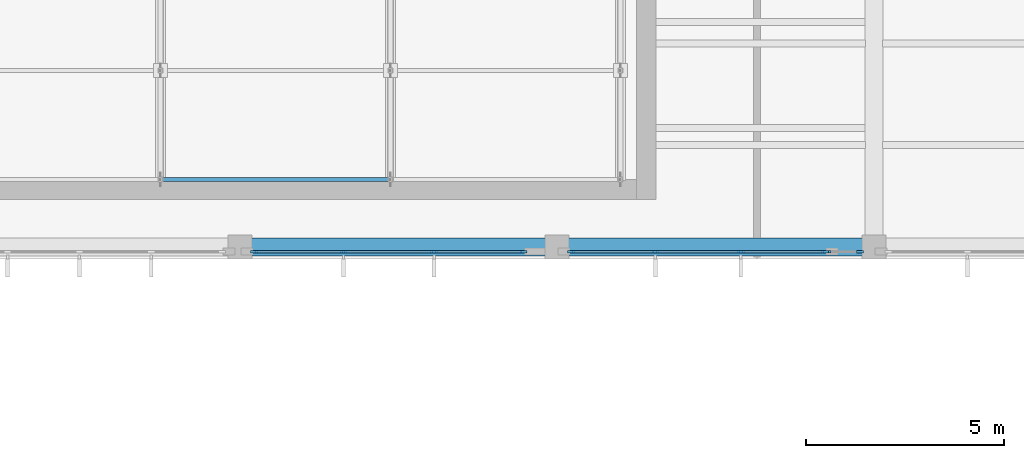
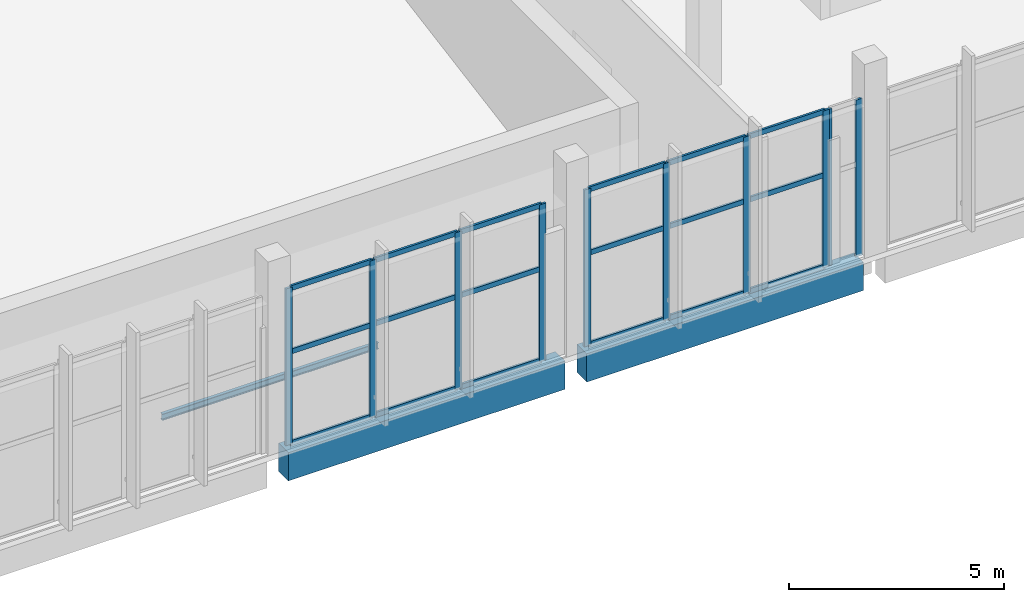
# One storey, part 6 of 132: 29 members, 2 beams, 3 elements without a shape of their own.
"""IFC4 building model written with IfcOpenShell, lengths in metres."""

import ifcopenshell
import ifcopenshell.guid

model = None  # the IFC model being written
_history = None  # IfcOwnerHistory: only IFC2X3 demands one
_inside = {}  # id of a spatial element -> (the spatial element, [elements in it])
_under = {}  # id of a project, library or spatial element -> (it, [spatial elements below it])
_declared = {}  # id of a project -> (the project, [libraries it declares])
_typed = {}  # id of a type object -> (the type object, [elements of that type])
_made_of = {}  # id of a material, layer set ... -> (it, [elements and type objects made of it])


def new_model(schema):
    """Start an empty IFC model of exactly this schema.

    Asked for "IFC4X3", IfcOpenShell would pick the latest addendum, in which some entities
    have other attributes; the version numbers below select the first issue.
    IFC2X3 requires an IfcOwnerHistory on every rooted entity: one is made here for all.
    """
    global model, _history
    if schema == "IFC4X3":
        model = ifcopenshell.file(schema_version=(4, 3, 0, 0))
    else:
        model = ifcopenshell.file(schema=schema)
    _inside.clear()
    _under.clear()
    _declared.clear()
    _typed.clear()
    _made_of.clear()
    _history = None
    if model.schema == "IFC2X3":
        org = make("IfcOrganization", Name="unknown")
        user = make(
            "IfcPersonAndOrganization",
            ThePerson=make("IfcPerson", FamilyName="unknown"),
            TheOrganization=org,
        )
        app = make(
            "IfcApplication",
            ApplicationDeveloper=org,
            Version="unknown",
            ApplicationFullName="unknown",
            ApplicationIdentifier="unknown",
        )
        _history = make(
            "IfcOwnerHistory",
            OwningUser=user,
            OwningApplication=app,
            ChangeAction="ADDED",
            CreationDate=0,
        )
    return model


def make(cls, **values):
    """One entity of the class cls with the attributes given. An attribute that is None is left unset."""
    return model.create_entity(
        cls, **{name: value for name, value in values.items() if value is not None}
    )


def rooted(cls, **values):
    """An entity with a GlobalId (a new one), such as an element, a storey or a relation."""
    return make(cls, GlobalId=ifcopenshell.guid.new(), OwnerHistory=_history, **values)


def si_unit(unit_type, name, prefix=None):
    """IfcSIUnit, for example si_unit("LENGTHUNIT", "METRE", prefix="MILLI")."""
    return make("IfcSIUnit", UnitType=unit_type, Prefix=prefix, Name=name)


def assignment(units):
    """IfcUnitAssignment: the units of a project."""
    return None if units is None else make("IfcUnitAssignment", Units=units)


def point(xyz):
    """IfcCartesianPoint."""
    return None if xyz is None else make("IfcCartesianPoint", Coordinates=xyz)


def direction(xyz):
    """IfcDirection."""
    return None if xyz is None else make("IfcDirection", DirectionRatios=xyz)


def frame(location, z_axis=None, x_axis=None):
    """IfcAxis2Placement3D, a coordinate frame: its origin and axes. An axis left out is left unset."""
    return make(
        "IfcAxis2Placement3D",
        Location=point(location),
        Axis=direction(z_axis),
        RefDirection=direction(x_axis),
    )


def frame_2d(location, x_axis=None):
    """IfcAxis2Placement2D, a coordinate frame in the plane: its origin and x axis."""
    return make(
        "IfcAxis2Placement2D", Location=point(location), RefDirection=direction(x_axis)
    )


def origin():
    """The frame at (0, 0, 0) with its axes left unset."""
    return frame((0.0, 0.0, 0.0))


def origin_2d():
    """The frame at (0, 0) in the plane with its x axis left unset."""
    return frame_2d((0.0, 0.0))


def place(relative_to, where):
    """IfcLocalPlacement: puts the frame where relative to a parent placement (None: the world)."""
    return make(
        "IfcLocalPlacement", PlacementRelTo=relative_to, RelativePlacement=where
    )


def context(
    kind, dimensions, precision=None, world=None, true_north=None, identifier=None
):
    """IfcGeometricRepresentationContext, for example the 3D "Model" context."""
    return make(
        "IfcGeometricRepresentationContext",
        ContextIdentifier=identifier,
        ContextType=kind,
        CoordinateSpaceDimension=dimensions,
        Precision=precision,
        WorldCoordinateSystem=world,
        TrueNorth=true_north,
    )


def subcontext(parent, identifier, kind, view, scale=None):
    """IfcGeometricRepresentationSubContext, for example "Body" below "Model"."""
    return make(
        "IfcGeometricRepresentationSubContext",
        ContextIdentifier=identifier,
        ContextType=kind,
        ParentContext=parent,
        TargetScale=scale,
        TargetView=view,
    )


def project(units=None, contexts=None):
    """IfcProject with its units and contexts."""
    return rooted(
        "IfcProject",
        Name="project",
        RepresentationContexts=contexts,
        UnitsInContext=assignment(units),
    )


def spatial(cls, under=None, at=None, **own):
    """A site, building, storey or space (cls), placed at a placement, below another one or the project."""
    s = rooted(cls, ObjectPlacement=at, **own)
    if under is not None:
        _under.setdefault(under.id(), (under, []))[1].append(s)
    return s


def profile(cls, at=None, kind="AREA", **sizes):
    """A parametric profile (cls). Its sizes go by their IFC names, for example OverallWidth=200.0."""
    return make(cls, ProfileType=kind, Position=at, **sizes)


def rectangle(**sizes):
    """IfcRectangleProfileDef."""
    return profile("IfcRectangleProfileDef", **sizes)


def i_section(**sizes):
    """IfcIShapeProfileDef."""
    return profile("IfcIShapeProfileDef", **sizes)


def extrude(swept, where, along, depth):
    """IfcExtrudedAreaSolid: the profile swept, set in the frame where, extruded along a direction by depth."""
    return make(
        "IfcExtrudedAreaSolid",
        SweptArea=swept,
        Position=where,
        ExtrudedDirection=direction(along),
        Depth=depth,
    )


def shape(context_of_items, identifier, shape_type, items):
    """IfcShapeRepresentation: the items that make up one representation, for example the "Body"."""
    return make(
        "IfcShapeRepresentation",
        ContextOfItems=context_of_items,
        RepresentationIdentifier=identifier,
        RepresentationType=shape_type,
        Items=items,
    )


def material(Name=None, Category=None):
    """IfcMaterial."""
    return make("IfcMaterial", Name=Name, Category=Category)


def layer(
    of_material, thickness, ventilated=None, Name=None, Category=None, Priority=None
):
    """IfcMaterialLayer: one layer of a wall or slab, of a material (None: an air gap)."""
    return make(
        "IfcMaterialLayer",
        Material=of_material,
        LayerThickness=thickness,
        IsVentilated=ventilated,
        Name=Name,
        Category=Category,
        Priority=Priority,
    )


def layer_set(layers, Name=None):
    """IfcMaterialLayerSet."""
    return make("IfcMaterialLayerSet", MaterialLayers=layers, LayerSetName=Name)


def material_profile(
    of_material, cross_section, Name=None, Category=None, Priority=None
):
    """IfcMaterialProfile: a cross section and its material."""
    return make(
        "IfcMaterialProfile",
        Name=Name,
        Material=of_material,
        Profile=cross_section,
        Priority=Priority,
        Category=Category,
    )


def profile_set(profiles, Name=None, composite=None):
    """IfcMaterialProfileSet."""
    return make(
        "IfcMaterialProfileSet",
        Name=Name,
        MaterialProfiles=profiles,
        CompositeProfile=composite,
    )


def made_of(thing, what):
    """Note that an element or type object is made of a material, layer set ...; save() writes the relation."""
    if what is not None:
        _made_of.setdefault(what.id(), (what, []))[1].append(thing)
    return thing


def type_object(cls, material=None, **own):
    """A type object (cls), such as IfcWallType, which elements share."""
    return made_of(rooted(cls, **own), material)


def element(
    cls,
    number,
    at=None,
    inside=None,
    cuts=None,
    type_object=None,
    material=None,
    context=None,
    identifier="Body",
    shape_type=None,
    held_by="IfcProductDefinitionShape",
    body=None,
    shapes=None,
    **own,
):
    """One element of the class cls, such as IfcWall. Its Tag is "e" and its number.

    at: its placement. inside: the storey or other place that contains it. cuts: it is an
    opening in that element (IfcRelVoidsElement). A single representation is given by context,
    identifier, shape_type and body (its items); several are given by shapes. held_by: the class
    of the entity that holds the representations. save() writes the other relations.
    """
    e = rooted(cls, Tag="e%d" % number, ObjectPlacement=at, **own)
    if body is not None:
        shapes = [shape(context, identifier, shape_type, body)]
    if shapes is not None:
        e.Representation = make(held_by, Representations=shapes)
    if inside is not None:
        _inside.setdefault(inside.id(), (inside, []))[1].append(e)
    if cuts is not None:
        rooted(
            "IfcRelVoidsElement", RelatingBuildingElement=cuts, RelatedOpeningElement=e
        )
    if type_object is not None:
        _typed.setdefault(type_object.id(), (type_object, []))[1].append(e)
    return made_of(e, material)


def aggregate(whole, parts):
    """IfcRelAggregates: a whole, such as a stair, and the parts it consists of."""
    return rooted("IfcRelAggregates", RelatingObject=whole, RelatedObjects=parts)


def save(model, path):
    """Write the relations noted so far, then the file.

    IfcRelAggregates (storeys below a building ...), IfcRelContainedInSpatialStructure (elements
    in a storey), IfcRelDefinesByType, IfcRelAssociatesMaterial and IfcRelDeclares: one each for
    every whole, place, type object, material and project.
    """
    for whole, parts in _under.values():
        aggregate(whole, parts)
    for where, things in _inside.values():
        rooted(
            "IfcRelContainedInSpatialStructure",
            RelatedElements=things,
            RelatingStructure=where,
        )
    for kind, things in _typed.values():
        rooted("IfcRelDefinesByType", RelatedObjects=things, RelatingType=kind)
    for what, things in _made_of.values():
        rooted("IfcRelAssociatesMaterial", RelatedObjects=things, RelatingMaterial=what)
    for by, libraries in _declared.values():
        rooted("IfcRelDeclares", RelatingContext=by, RelatedDefinitions=libraries)
    model.write(path)


model = new_model("IFC4")

# Units and contexts
model_context = context("Model", 3, precision=1e-05, world=origin(), true_north=direction((0.0, 1.0)))
body_context = subcontext(model_context, "Body", "Model", "MODEL_VIEW")
ifc_project = project(units=[si_unit("LENGTHUNIT", "METRE"), si_unit("AREAUNIT", "SQUARE_METRE"), si_unit("VOLUMEUNIT", "CUBIC_METRE"), si_unit("PLANEANGLEUNIT", "RADIAN"), si_unit("MASSUNIT", "GRAM", prefix="KILO")], contexts=[model_context])

# Site, building, storey
site_placement = place(None, origin())
site = spatial("IfcSite", under=ifc_project, at=site_placement, CompositionType="ELEMENT")
building_placement = place(site_placement, origin())
building = spatial("IfcBuilding", under=site, at=building_placement, Name="Lunette Opera House", CompositionType="ELEMENT")
storey_placement = place(building_placement, frame((0.0, 0.0, 17.0)))
storey = spatial("IfcBuildingStorey", under=building, at=storey_placement, Name="L03", CompositionType="ELEMENT", Elevation=17.0)

# Curtain wall, members
ifc_material_1 = material(Name="Aluminium", Category="aluminium")
ifc_layer = layer(ifc_material_1, 0.179931640625)
ifc_layer_set = layer_set([ifc_layer], Name="Aluminium")
curtain_wall_type = type_object("IfcCurtainWallType", Name="SUN FACE CURTAIN WALL", PredefinedType="NOTDEFINED", material=ifc_layer_set)
curtain_wall_1_placement = place(storey_placement, origin())
curtain_wall_1 = element("IfcCurtainWall", 1, at=curtain_wall_1_placement, inside=storey, type_object=curtain_wall_type, Name="Sun Face Curtain Wall F21 L03", PredefinedType="NOTDEFINED")
ifc_material_2 = material(Name="Aluminium", Category="aluminium")
ifc_material_profile_1 = material_profile(ifc_material_2, rectangle(XDim=0.06005859375, YDim=0.179931640625, at=origin_2d()), Name="MULLION 60 X 180")
ifc_profile_set_1 = profile_set([ifc_material_profile_1], Name="Aluminium")
member_type_1 = type_object("IfcMemberType", Name="MULLION 60 X 180", PredefinedType="MULLION", material=ifc_profile_set_1)
member_1_placement = place(storey_placement, frame((24.360107421875, 64.18310546875, 0.0), z_axis=(0.0, 0.0, 1.0), x_axis=(0.0, 1.0, 0.0)))
member_1 = element("IfcMember", 2, at=member_1_placement, type_object=member_type_1, Name="RW-X2051 mullion 1", PredefinedType="MULLION", context=body_context, shape_type="SweptSolid", body=[
    extrude(rectangle(XDim=0.06005859375, YDim=0.179931640625, at=origin_2d()), origin(), (0.0, 0.0, 1.0), 4.449951171875),
])
member_2_placement = place(storey_placement, frame((26.6142578125, 64.18310546875, 0.0), z_axis=(0.0, 0.0, 1.0), x_axis=(0.0, 1.0, 0.0)))
member_2 = element("IfcMember", 3, at=member_2_placement, type_object=member_type_1, Name="RW-X2051 mullion 2", PredefinedType="MULLION", context=body_context, shape_type="SweptSolid", body=[
    extrude(rectangle(XDim=0.06005859375, YDim=0.179931640625, at=origin_2d()), origin(), (0.0, 0.0, 1.0), 4.449951171875),
])
member_3_placement = place(storey_placement, frame((28.898681640625, 64.18310546875, 0.0), z_axis=(0.0, 0.0, 1.0), x_axis=(0.0, 1.0, 0.0)))
member_3 = element("IfcMember", 4, at=member_3_placement, type_object=member_type_1, Name="RW-X2051 mullion 3", PredefinedType="MULLION", context=body_context, shape_type="SweptSolid", body=[
    extrude(rectangle(XDim=0.06005859375, YDim=0.179931640625, at=origin_2d()), origin(), (0.0, 0.0, 1.0), 4.449951171875),
])
member_4_placement = place(storey_placement, frame((31.153076171875, 64.18310546875, 0.0), z_axis=(0.0, 0.0, 1.0), x_axis=(0.0, 1.0, 0.0)))
member_4 = element("IfcMember", 5, at=member_4_placement, type_object=member_type_1, Name="RW-X2051 mullion 4", PredefinedType="MULLION", context=body_context, shape_type="SweptSolid", body=[
    extrude(rectangle(XDim=0.06005859375, YDim=0.179931640625, at=origin_2d()), origin(), (0.0, 0.0, 1.0), 4.449951171875),
])

curtain_wall_2_placement = place(storey_placement, origin())
curtain_wall_2 = element("IfcCurtainWall", 6, at=curtain_wall_2_placement, inside=storey, type_object=curtain_wall_type, Name="Sun Face Curtain Wall F22 L03", PredefinedType="NOTDEFINED")
member_5_placement = place(storey_placement, frame((32.360107421875, 64.18310546875, 0.0), z_axis=(0.0, 0.0, 1.0), x_axis=(0.0, 1.0, 0.0)))
member_5 = element("IfcMember", 7, at=member_5_placement, type_object=member_type_1, Name="RW-X2052 mullion 1", PredefinedType="MULLION", context=body_context, shape_type="SweptSolid", body=[
    extrude(rectangle(XDim=0.06005859375, YDim=0.179931640625, at=origin_2d()), origin(), (0.0, 0.0, 1.0), 4.449951171875),
])
member_6_placement = place(storey_placement, frame((34.482666015625, 64.18310546875, 0.0), z_axis=(0.0, 0.0, 1.0), x_axis=(0.0, 1.0, 0.0)))
member_6 = element("IfcMember", 8, at=member_6_placement, type_object=member_type_1, Name="RW-X2052 mullion 2", PredefinedType="MULLION", context=body_context, shape_type="SweptSolid", body=[
    extrude(rectangle(XDim=0.06005859375, YDim=0.179931640625, at=origin_2d()), origin(), (0.0, 0.0, 1.0), 4.449951171875),
])
member_7_placement = place(storey_placement, frame((36.63525390625, 64.18310546875, 0.0), z_axis=(0.0, 0.0, 1.0), x_axis=(0.0, 1.0, 0.0)))
member_7 = element("IfcMember", 9, at=member_7_placement, type_object=member_type_1, Name="RW-X2052 mullion 3", PredefinedType="MULLION", context=body_context, shape_type="SweptSolid", body=[
    extrude(rectangle(XDim=0.06005859375, YDim=0.179931640625, at=origin_2d()), origin(), (0.0, 0.0, 1.0), 4.449951171875),
])
member_8_placement = place(storey_placement, frame((38.758056640625, 64.18310546875, 0.0), z_axis=(0.0, 0.0, 1.0), x_axis=(0.0, 1.0, 0.0)))
member_8 = element("IfcMember", 10, at=member_8_placement, type_object=member_type_1, Name="RW-X2052 mullion 4", PredefinedType="MULLION", context=body_context, shape_type="SweptSolid", body=[
    extrude(rectangle(XDim=0.06005859375, YDim=0.179931640625, at=origin_2d()), origin(), (0.0, 0.0, 1.0), 4.449951171875),
])

curtain_wall_3_placement = place(storey_placement, origin())
curtain_wall_3 = element("IfcCurtainWall", 11, at=curtain_wall_3_placement, inside=storey, type_object=curtain_wall_type, Name="Sun Face Curtain Wall F23-1 L03", PredefinedType="NOTDEFINED")
member_9_placement = place(storey_placement, frame((38.818115234375, 64.18310546875, 0.0), z_axis=(0.0, 0.0, 1.0), x_axis=(0.0, 1.0, 0.0)))
member_9 = element("IfcMember", 12, at=member_9_placement, type_object=member_type_1, Name="RW-X2053 mullion 1", PredefinedType="MULLION", context=body_context, shape_type="SweptSolid", body=[
    extrude(rectangle(XDim=0.06005859375, YDim=0.179931640625, at=origin_2d()), origin(), (0.0, 0.0, 1.0), 4.449951171875),
])
member_10_placement = place(storey_placement, frame((39.639892578125, 64.18310546875, 0.0), z_axis=(0.0, 0.0, 1.0), x_axis=(0.0, 1.0, 0.0)))
member_10 = element("IfcMember", 13, at=member_10_placement, type_object=member_type_1, Name="RW-X2053 mullion 2", PredefinedType="MULLION", context=body_context, shape_type="SweptSolid", body=[
    extrude(rectangle(XDim=0.06005859375, YDim=0.179931640625, at=origin_2d()), origin(), (0.0, 0.0, 1.0), 4.449951171875),
])
aggregate(curtain_wall_3, [member_9, member_10])

# Member
ifc_material_3 = material(Name="Steel S355", Category="steel")
ifc_material_profile_2 = material_profile(ifc_material_3, i_section(OverallWidth=0.091064453125, OverallDepth=0.179931640625, WebThickness=0.00537109375, FlangeThickness=0.008056640625, FilletRadius=0.009033203125, at=origin_2d()), Name="IPE 180")
ifc_profile_set_2 = profile_set([ifc_material_profile_2], Name="Steel S355")
member_type_2 = type_object("IfcMemberType", Name="PURLIN IPE 180", PredefinedType="PURLIN", material=ifc_profile_set_2)
member_11_placement = place(storey_placement, frame((22.0, 66.0, 0.510009765625), z_axis=(1.0, 0.0, 0.0), x_axis=(0.0, 1.0, 0.0)))
element("IfcMember", 14, at=member_11_placement, inside=storey, type_object=member_type_2, Name="mem-RW-L03-RW-PU1-3", PredefinedType="PURLIN", context=body_context, shape_type="SweptSolid", body=[
    extrude(i_section(OverallWidth=0.091064453125, OverallDepth=0.179931640625, WebThickness=0.00537109375, FlangeThickness=0.008056640625, FilletRadius=0.009033203125, at=origin_2d()), origin(), (0.0, 0.0, 1.0), 5.800048828125),
])

# Beams
ifc_material_4 = material(Name="Concrete C35/45", Category="concrete")
ifc_material_profile_3 = material_profile(ifc_material_4, rectangle(XDim=0.449951171875, YDim=0.800048828125, at=origin_2d()), Name="RC BEAM 450X800")
ifc_profile_set_3 = profile_set([ifc_material_profile_3], Name="Concrete C35/45")
beam_type = type_object("IfcBeamType", Name="RC BEAM 450X800", PredefinedType="BEAM", material=ifc_profile_set_3)
for number, where, z_axis, x_axis, name in (
    (15, (24.2900390625, 64.300048828125, -0.550048828125), (1.0, 0.0, 0.0), (0.0, 1.0, 0.0), "beam-RW-L03-L03-GX20"),
    (16, (32.2900390625, 64.300048828125, -0.550048828125), (1.0, 0.0, 0.0), (0.0, 1.0, 0.0), "beam-RW-L03-L03-GX30"),
):
    element("IfcBeam", number, at=place(storey_placement, frame(where, z_axis=z_axis, x_axis=x_axis)), inside=storey, type_object=beam_type, Name=name, PredefinedType="BEAM", context=body_context, shape_type="SweptSolid", body=[
        extrude(rectangle(XDim=0.449951171875, YDim=0.800048828125, at=origin_2d()), origin(), (0.0, 0.0, 1.0), 7.419921875),
    ])

# Member
ifc_material_5 = material(Name="Aluminium", Category="aluminium")
ifc_material_profile_4 = material_profile(ifc_material_5, rectangle(XDim=0.06005859375, YDim=0.139892578125, at=origin_2d()), Name="TRANSOM 60 X 140")
ifc_profile_set_4 = profile_set([ifc_material_profile_4], Name="Aluminium")
member_type_3 = type_object("IfcMemberType", Name="TRANSOM 60 X 140", PredefinedType="USERDEFINED", material=ifc_profile_set_4)
member_12_placement = place(storey_placement, frame((24.389892578125, 64.18310546875, 0.030029296875), z_axis=(1.0, 0.0, 0.0), x_axis=(0.0, 1.0, 0.0)))
member_12 = element("IfcMember", 17, at=member_12_placement, type_object=member_type_3, Name="RW-X2051 transom 1.1", ObjectType="TRANSOM", PredefinedType="USERDEFINED", context=body_context, shape_type="SweptSolid", body=[
    extrude(rectangle(XDim=0.06005859375, YDim=0.139892578125, at=origin_2d()), origin(), (0.0, 0.0, 1.0), 2.1943359375),
])

member_13_placement = place(storey_placement, frame((24.389892578125, 64.18310546875, 2.625), z_axis=(1.0, 0.0, 0.0), x_axis=(0.0, 1.0, 0.0)))
member_13 = element("IfcMember", 18, at=member_13_placement, type_object=member_type_3, Name="RW-X2051 transom 1.2", ObjectType="TRANSOM", PredefinedType="USERDEFINED", context=body_context, shape_type="SweptSolid", body=[
    extrude(rectangle(XDim=0.06005859375, YDim=0.139892578125, at=origin_2d()), origin(), (0.0, 0.0, 1.0), 2.1943359375),
])

member_14_placement = place(storey_placement, frame((24.389892578125, 64.18310546875, 4.419921875), z_axis=(1.0, 0.0, 0.0), x_axis=(0.0, 1.0, 0.0)))
member_14 = element("IfcMember", 19, at=member_14_placement, type_object=member_type_3, Name="RW-X2051 transom 1.3", ObjectType="TRANSOM", PredefinedType="USERDEFINED", context=body_context, shape_type="SweptSolid", body=[
    extrude(rectangle(XDim=0.06005859375, YDim=0.139892578125, at=origin_2d()), origin(), (0.0, 0.0, 1.0), 2.1943359375),
])

member_15_placement = place(storey_placement, frame((26.644287109375, 64.18310546875, 0.030029296875), z_axis=(1.0, 0.0, 0.0), x_axis=(0.0, 1.0, 0.0)))
member_15 = element("IfcMember", 20, at=member_15_placement, type_object=member_type_3, Name="RW-X2051 transom 2.1", ObjectType="TRANSOM", PredefinedType="USERDEFINED", context=body_context, shape_type="SweptSolid", body=[
    extrude(rectangle(XDim=0.06005859375, YDim=0.139892578125, at=origin_2d()), origin(), (0.0, 0.0, 1.0), 2.224365234375),
])

member_16_placement = place(storey_placement, frame((26.644287109375, 64.18310546875, 2.625), z_axis=(1.0, 0.0, 0.0), x_axis=(0.0, 1.0, 0.0)))
member_16 = element("IfcMember", 21, at=member_16_placement, type_object=member_type_3, Name="RW-X2051 transom 2.2", ObjectType="TRANSOM", PredefinedType="USERDEFINED", context=body_context, shape_type="SweptSolid", body=[
    extrude(rectangle(XDim=0.06005859375, YDim=0.139892578125, at=origin_2d()), origin(), (0.0, 0.0, 1.0), 2.224365234375),
])

member_17_placement = place(storey_placement, frame((26.644287109375, 64.18310546875, 4.419921875), z_axis=(1.0, 0.0, 0.0), x_axis=(0.0, 1.0, 0.0)))
member_17 = element("IfcMember", 22, at=member_17_placement, type_object=member_type_3, Name="RW-X2051 transom 2.3", ObjectType="TRANSOM", PredefinedType="USERDEFINED", context=body_context, shape_type="SweptSolid", body=[
    extrude(rectangle(XDim=0.06005859375, YDim=0.139892578125, at=origin_2d()), origin(), (0.0, 0.0, 1.0), 2.224365234375),
])

member_18_placement = place(storey_placement, frame((28.9287109375, 64.18310546875, 0.030029296875), z_axis=(1.0, 0.0, 0.0), x_axis=(0.0, 1.0, 0.0)))
member_18 = element("IfcMember", 23, at=member_18_placement, type_object=member_type_3, Name="RW-X2051 transom 3.1", ObjectType="TRANSOM", PredefinedType="USERDEFINED", context=body_context, shape_type="SweptSolid", body=[
    extrude(rectangle(XDim=0.06005859375, YDim=0.139892578125, at=origin_2d()), origin(), (0.0, 0.0, 1.0), 2.1943359375),
])

member_19_placement = place(storey_placement, frame((28.9287109375, 64.18310546875, 2.625), z_axis=(1.0, 0.0, 0.0), x_axis=(0.0, 1.0, 0.0)))
member_19 = element("IfcMember", 24, at=member_19_placement, type_object=member_type_3, Name="RW-X2051 transom 3.2", ObjectType="TRANSOM", PredefinedType="USERDEFINED", context=body_context, shape_type="SweptSolid", body=[
    extrude(rectangle(XDim=0.06005859375, YDim=0.139892578125, at=origin_2d()), origin(), (0.0, 0.0, 1.0), 2.1943359375),
])

member_20_placement = place(storey_placement, frame((28.9287109375, 64.18310546875, 4.419921875), z_axis=(1.0, 0.0, 0.0), x_axis=(0.0, 1.0, 0.0)))
member_20 = element("IfcMember", 25, at=member_20_placement, type_object=member_type_3, Name="RW-X2051 transom 3.3", ObjectType="TRANSOM", PredefinedType="USERDEFINED", context=body_context, shape_type="SweptSolid", body=[
    extrude(rectangle(XDim=0.06005859375, YDim=0.139892578125, at=origin_2d()), origin(), (0.0, 0.0, 1.0), 2.1943359375),
])

aggregate(curtain_wall_1, [member_1, member_2, member_3, member_4, member_12, member_13, member_14, member_15, member_16, member_17, member_18, member_19, member_20])

member_21_placement = place(storey_placement, frame((32.389892578125, 64.18310546875, 0.030029296875), z_axis=(1.0, 0.0, 0.0), x_axis=(0.0, 1.0, 0.0)))
member_21 = element("IfcMember", 26, at=member_21_placement, type_object=member_type_3, Name="RW-X2052 transom 1.1", ObjectType="TRANSOM", PredefinedType="USERDEFINED", context=body_context, shape_type="SweptSolid", body=[
    extrude(rectangle(XDim=0.06005859375, YDim=0.139892578125, at=origin_2d()), origin(), (0.0, 0.0, 1.0), 2.062744140625),
])

member_22_placement = place(storey_placement, frame((32.389892578125, 64.18310546875, 2.625), z_axis=(1.0, 0.0, 0.0), x_axis=(0.0, 1.0, 0.0)))
member_22 = element("IfcMember", 27, at=member_22_placement, type_object=member_type_3, Name="RW-X2052 transom 1.2", ObjectType="TRANSOM", PredefinedType="USERDEFINED", context=body_context, shape_type="SweptSolid", body=[
    extrude(rectangle(XDim=0.06005859375, YDim=0.139892578125, at=origin_2d()), origin(), (0.0, 0.0, 1.0), 2.062744140625),
])

member_23_placement = place(storey_placement, frame((32.389892578125, 64.18310546875, 4.419921875), z_axis=(1.0, 0.0, 0.0), x_axis=(0.0, 1.0, 0.0)))
member_23 = element("IfcMember", 28, at=member_23_placement, type_object=member_type_3, Name="RW-X2052 transom 1.3", ObjectType="TRANSOM", PredefinedType="USERDEFINED", context=body_context, shape_type="SweptSolid", body=[
    extrude(rectangle(XDim=0.06005859375, YDim=0.139892578125, at=origin_2d()), origin(), (0.0, 0.0, 1.0), 2.062744140625),
])

member_24_placement = place(storey_placement, frame((34.5126953125, 64.18310546875, 0.030029296875), z_axis=(1.0, 0.0, 0.0), x_axis=(0.0, 1.0, 0.0)))
member_24 = element("IfcMember", 29, at=member_24_placement, type_object=member_type_3, Name="RW-X2052 transom 2.1", ObjectType="TRANSOM", PredefinedType="USERDEFINED", context=body_context, shape_type="SweptSolid", body=[
    extrude(rectangle(XDim=0.06005859375, YDim=0.139892578125, at=origin_2d()), origin(), (0.0, 0.0, 1.0), 2.092529296875),
])

member_25_placement = place(storey_placement, frame((34.5126953125, 64.18310546875, 2.625), z_axis=(1.0, 0.0, 0.0), x_axis=(0.0, 1.0, 0.0)))
member_25 = element("IfcMember", 30, at=member_25_placement, type_object=member_type_3, Name="RW-X2052 transom 2.2", ObjectType="TRANSOM", PredefinedType="USERDEFINED", context=body_context, shape_type="SweptSolid", body=[
    extrude(rectangle(XDim=0.06005859375, YDim=0.139892578125, at=origin_2d()), origin(), (0.0, 0.0, 1.0), 2.092529296875),
])

member_26_placement = place(storey_placement, frame((34.5126953125, 64.18310546875, 4.419921875), z_axis=(1.0, 0.0, 0.0), x_axis=(0.0, 1.0, 0.0)))
member_26 = element("IfcMember", 31, at=member_26_placement, type_object=member_type_3, Name="RW-X2052 transom 2.3", ObjectType="TRANSOM", PredefinedType="USERDEFINED", context=body_context, shape_type="SweptSolid", body=[
    extrude(rectangle(XDim=0.06005859375, YDim=0.139892578125, at=origin_2d()), origin(), (0.0, 0.0, 1.0), 2.092529296875),
])

member_27_placement = place(storey_placement, frame((36.665283203125, 64.18310546875, 0.030029296875), z_axis=(1.0, 0.0, 0.0), x_axis=(0.0, 1.0, 0.0)))
member_27 = element("IfcMember", 32, at=member_27_placement, type_object=member_type_3, Name="RW-X2052 transom 3.1", ObjectType="TRANSOM", PredefinedType="USERDEFINED", context=body_context, shape_type="SweptSolid", body=[
    extrude(rectangle(XDim=0.06005859375, YDim=0.139892578125, at=origin_2d()), origin(), (0.0, 0.0, 1.0), 2.062744140625),
])

member_28_placement = place(storey_placement, frame((36.665283203125, 64.18310546875, 2.625), z_axis=(1.0, 0.0, 0.0), x_axis=(0.0, 1.0, 0.0)))
member_28 = element("IfcMember", 33, at=member_28_placement, type_object=member_type_3, Name="RW-X2052 transom 3.2", ObjectType="TRANSOM", PredefinedType="USERDEFINED", context=body_context, shape_type="SweptSolid", body=[
    extrude(rectangle(XDim=0.06005859375, YDim=0.139892578125, at=origin_2d()), origin(), (0.0, 0.0, 1.0), 2.062744140625),
])

member_29_placement = place(storey_placement, frame((36.665283203125, 64.18310546875, 4.419921875), z_axis=(1.0, 0.0, 0.0), x_axis=(0.0, 1.0, 0.0)))
member_29 = element("IfcMember", 34, at=member_29_placement, type_object=member_type_3, Name="RW-X2052 transom 3.3", ObjectType="TRANSOM", PredefinedType="USERDEFINED", context=body_context, shape_type="SweptSolid", body=[
    extrude(rectangle(XDim=0.06005859375, YDim=0.139892578125, at=origin_2d()), origin(), (0.0, 0.0, 1.0), 2.062744140625),
])

aggregate(curtain_wall_2, [member_5, member_6, member_7, member_8, member_21, member_22, member_23, member_24, member_25, member_26, member_27, member_28, member_29])

save(model, "model.ifc")
